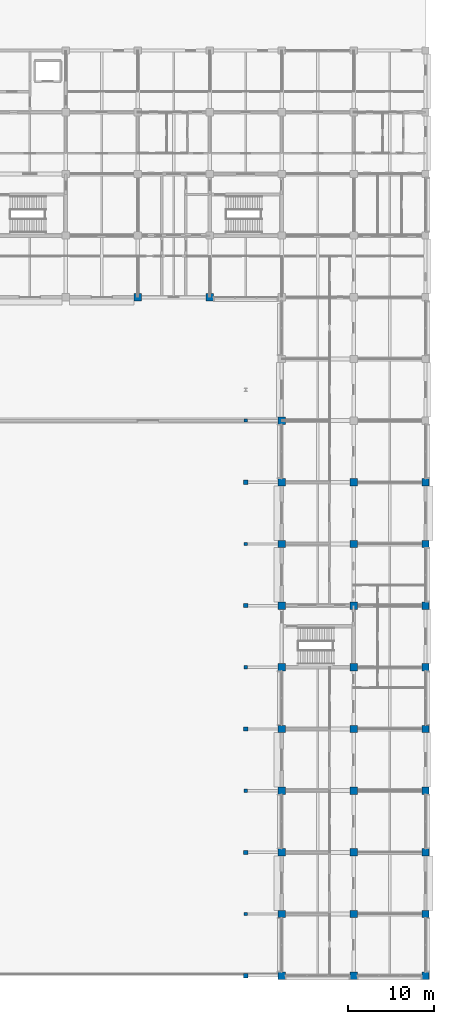
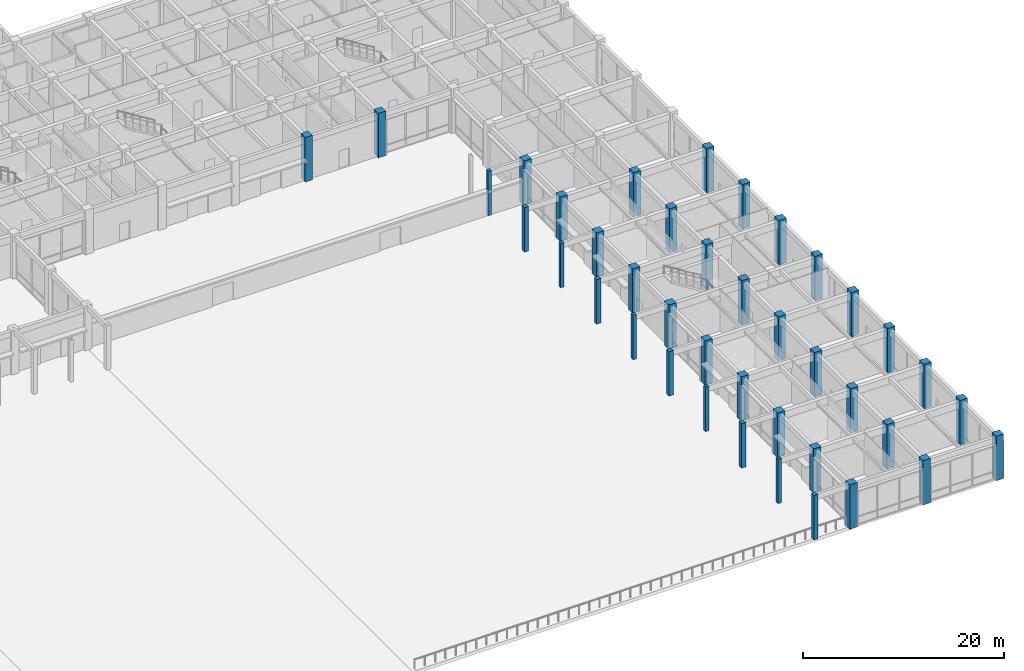
# One storey, part 5 of 73: 40 columns.
"""IFC4 building model written with IfcOpenShell, lengths in metres."""

from ifc_helpers import new_model, si_unit, direction, frame, origin, origin_2d, place, context, subcontext, project, spatial, rectangle, extrude, material, material_profile, profile_set, type_object, element, save


model = new_model("IFC4")

# Units and contexts
model_context = context("Model", 3, precision=1e-05, world=origin(), true_north=direction((0.0, 1.0)))
body_context = subcontext(model_context, "Body", "Model", "MODEL_VIEW")
ifc_project = project(units=[si_unit("LENGTHUNIT", "METRE"), si_unit("AREAUNIT", "SQUARE_METRE"), si_unit("VOLUMEUNIT", "CUBIC_METRE"), si_unit("PLANEANGLEUNIT", "RADIAN"), si_unit("MASSUNIT", "GRAM", prefix="KILO")], contexts=[model_context])

# Site, building, storey
site_placement = place(None, origin())
site = spatial("IfcSite", under=ifc_project, at=site_placement, CompositionType="ELEMENT")
building_placement = place(site_placement, origin())
building = spatial("IfcBuilding", under=site, at=building_placement, Name="Chengyuan Square Courthouse", CompositionType="ELEMENT")
storey_placement = place(building_placement, origin())
storey = spatial("IfcBuildingStorey", under=building, at=storey_placement, Name="L01", CompositionType="ELEMENT", Elevation=0.0)

# Columns
ifc_material_1 = material(Name="Concrete C50", Category="concrete")
ifc_material_profile_1 = material_profile(ifc_material_1, rectangle(XDim=0.85009765625, YDim=0.85009765625, at=origin_2d()), Name="RC-COL-850x850")
ifc_profile_set_1 = profile_set([ifc_material_profile_1], Name="Concrete C50")
column_type_1 = type_object("IfcColumnType", Name="CL-03", PredefinedType="COLUMN", material=ifc_profile_set_1)
for number, where, z_axis, x_axis, name in (
    (1, (134.39990234375, 79.199951171875, 0.0), (0.0, 0.0, 1.0), (1.0, 0.0, 0.0), "Column CL-L01-130"),
    (2, (142.800048828125, 79.199951171875, 0.0), (0.0, 0.0, 1.0), (1.0, 0.0, 0.0), "Column CL-L01-135"),
    (3, (151.199951171875, 0.0, 0.0), (0.0, 0.0, 1.0), (1.0, 0.0, 0.0), "Column CL-L01-140"),
    (4, (151.199951171875, 7.199951171875, 0.0), (0.0, 0.0, 1.0), (1.0, 0.0, 0.0), "Column CL-L01-141"),
    (5, (151.199951171875, 14.39990234375, 0.0), (0.0, 0.0, 1.0), (1.0, 0.0, 0.0), "Column CL-L01-142"),
    (6, (151.199951171875, 21.60009765625, 0.0), (0.0, 0.0, 1.0), (1.0, 0.0, 0.0), "Column CL-L01-143"),
    (7, (151.199951171875, 28.800048828125, 0.0), (0.0, 0.0, 1.0), (1.0, 0.0, 0.0), "Column CL-L01-144"),
    (8, (151.199951171875, 36.0, 0.0), (0.0, 0.0, 1.0), (1.0, 0.0, 0.0), "Column CL-L01-145"),
    (9, (151.199951171875, 43.199951171875, 0.0), (0.0, 0.0, 1.0), (1.0, 0.0, 0.0), "Column CL-L01-146"),
    (10, (151.199951171875, 50.39990234375, 0.0), (0.0, 0.0, 1.0), (1.0, 0.0, 0.0), "Column CL-L01-147"),
    (11, (151.199951171875, 57.60009765625, 0.0), (0.0, 0.0, 1.0), (1.0, 0.0, 0.0), "Column CL-L01-148"),
    (12, (151.199951171875, 64.800048828125, 0.0), (0.0, 0.0, 1.0), (1.0, 0.0, 0.0), "Column CL-L01-149"),
    (13, (159.60009765625, 0.0, 0.0), (0.0, 0.0, 1.0), (1.0, 0.0, 0.0), "Column CL-L01-156"),
    (14, (159.60009765625, 7.199951171875, 0.0), (0.0, 0.0, 1.0), (1.0, 0.0, 0.0), "Column CL-L01-157"),
    (15, (159.60009765625, 14.39990234375, 0.0), (0.0, 0.0, 1.0), (1.0, 0.0, 0.0), "Column CL-L01-158"),
    (16, (159.60009765625, 21.60009765625, 0.0), (0.0, 0.0, 1.0), (1.0, 0.0, 0.0), "Column CL-L01-159"),
    (17, (159.60009765625, 28.800048828125, 0.0), (0.0, 0.0, 1.0), (1.0, 0.0, 0.0), "Column CL-L01-160"),
    (18, (159.60009765625, 36.0, 0.0), (0.0, 0.0, 1.0), (1.0, 0.0, 0.0), "Column CL-L01-161"),
    (19, (159.60009765625, 43.199951171875, 0.0), (0.0, 0.0, 1.0), (1.0, 0.0, 0.0), "Column CL-L01-162"),
    (20, (159.60009765625, 50.39990234375, 0.0), (0.0, 0.0, 1.0), (1.0, 0.0, 0.0), "Column CL-L01-163"),
    (21, (159.60009765625, 57.60009765625, 0.0), (0.0, 0.0, 1.0), (1.0, 0.0, 0.0), "Column CL-L01-164"),
    (22, (168.0, 0.0, 0.0), (0.0, 0.0, 1.0), (1.0, 0.0, 0.0), "Column CL-L01-172"),
    (23, (168.0, 7.199951171875, 0.0), (0.0, 0.0, 1.0), (1.0, 0.0, 0.0), "Column CL-L01-173"),
    (24, (168.0, 14.39990234375, 0.0), (0.0, 0.0, 1.0), (1.0, 0.0, 0.0), "Column CL-L01-174"),
    (25, (168.0, 21.60009765625, 0.0), (0.0, 0.0, 1.0), (1.0, 0.0, 0.0), "Column CL-L01-175"),
    (26, (168.0, 28.800048828125, 0.0), (0.0, 0.0, 1.0), (1.0, 0.0, 0.0), "Column CL-L01-176"),
    (27, (168.0, 36.0, 0.0), (0.0, 0.0, 1.0), (1.0, 0.0, 0.0), "Column CL-L01-177"),
    (28, (168.0, 43.199951171875, 0.0), (0.0, 0.0, 1.0), (1.0, 0.0, 0.0), "Column CL-L01-178"),
    (29, (168.0, 50.39990234375, 0.0), (0.0, 0.0, 1.0), (1.0, 0.0, 0.0), "Column CL-L01-179"),
    (30, (168.0, 57.60009765625, 0.0), (0.0, 0.0, 1.0), (1.0, 0.0, 0.0), "Column CL-L01-180"),
):
    element("IfcColumn", number, at=place(storey_placement, frame(where, z_axis=z_axis, x_axis=x_axis)), inside=storey, type_object=column_type_1, Name=name, PredefinedType="COLUMN", context=body_context, shape_type="SweptSolid", body=[
        extrude(rectangle(XDim=0.85009765625, YDim=0.85009765625, at=origin_2d()), origin(), (0.0, 0.0, 1.0), 5.39990234375),
    ])
ifc_material_2 = material(Name="Glulam TCt28", Category="wood")
ifc_material_profile_2 = material_profile(ifc_material_2, rectangle(XDim=0.47998046875, YDim=0.47998046875, at=origin_2d()), Name="GL-COL-480x480")
ifc_profile_set_2 = profile_set([ifc_material_profile_2], Name="Glulam TCt28")
column_type_2 = type_object("IfcColumnType", Name="GL-01", PredefinedType="COLUMN", material=ifc_profile_set_2)
for number, where, z_axis, x_axis, name in (
    (31, (147.0, 0.0, 0.0), (0.0, 0.0, 1.0), (1.0, 0.0, 0.0), "Glulam Colonnade Column GLC-L01-002"),
    (32, (147.0, 14.39990234375, 0.0), (0.0, 0.0, 1.0), (1.0, 0.0, 0.0), "Glulam Colonnade Column GLC-L01-006"),
    (33, (147.0, 28.800048828125, 0.0), (0.0, 0.0, 1.0), (1.0, 0.0, 0.0), "Glulam Colonnade Column GLC-L01-010"),
    (34, (147.0, 43.199951171875, 0.0), (0.0, 0.0, 1.0), (1.0, 0.0, 0.0), "Glulam Colonnade Column GLC-L01-014"),
    (35, (147.0, 57.60009765625, 0.0), (0.0, 0.0, 1.0), (1.0, 0.0, 0.0), "Glulam Colonnade Column GLC-L01-018"),
):
    element("IfcColumn", number, at=place(storey_placement, frame(where, z_axis=z_axis, x_axis=x_axis)), inside=storey, type_object=column_type_2, Name=name, PredefinedType="COLUMN", context=body_context, shape_type="SweptSolid", body=[
        extrude(rectangle(XDim=0.47998046875, YDim=0.47998046875, at=origin_2d()), origin(), (0.0, 0.0, 1.0), 5.39990234375),
    ])
ifc_material_profile_3 = material_profile(ifc_material_2, rectangle(XDim=0.3798828125, YDim=0.3798828125, at=origin_2d()), Name="GL-COL-380x380")
ifc_profile_set_3 = profile_set([ifc_material_profile_3], Name="Glulam TCt28")
column_type_3 = type_object("IfcColumnType", Name="GL-02", PredefinedType="COLUMN", material=ifc_profile_set_3)
for number, where, z_axis, x_axis, name in (
    (36, (147.0, 7.199951171875, 0.0), (0.0, 0.0, 1.0), (1.0, 0.0, 0.0), "Glulam Colonnade Column GLC-L01-004"),
    (37, (147.0, 21.60009765625, 0.0), (0.0, 0.0, 1.0), (1.0, 0.0, 0.0), "Glulam Colonnade Column GLC-L01-008"),
    (38, (147.0, 36.0, 0.0), (0.0, 0.0, 1.0), (1.0, 0.0, 0.0), "Glulam Colonnade Column GLC-L01-012"),
    (39, (147.0, 50.39990234375, 0.0), (0.0, 0.0, 1.0), (1.0, 0.0, 0.0), "Glulam Colonnade Column GLC-L01-016"),
    (40, (147.0, 64.800048828125, 0.0), (0.0, 0.0, 1.0), (1.0, 0.0, 0.0), "Glulam Colonnade Column GLC-L01-020"),
):
    element("IfcColumn", number, at=place(storey_placement, frame(where, z_axis=z_axis, x_axis=x_axis)), inside=storey, type_object=column_type_3, Name=name, PredefinedType="COLUMN", context=body_context, shape_type="SweptSolid", body=[
        extrude(rectangle(XDim=0.3798828125, YDim=0.3798828125, at=origin_2d()), origin(), (0.0, 0.0, 1.0), 5.39990234375),
    ])

save(model, "model.ifc")
